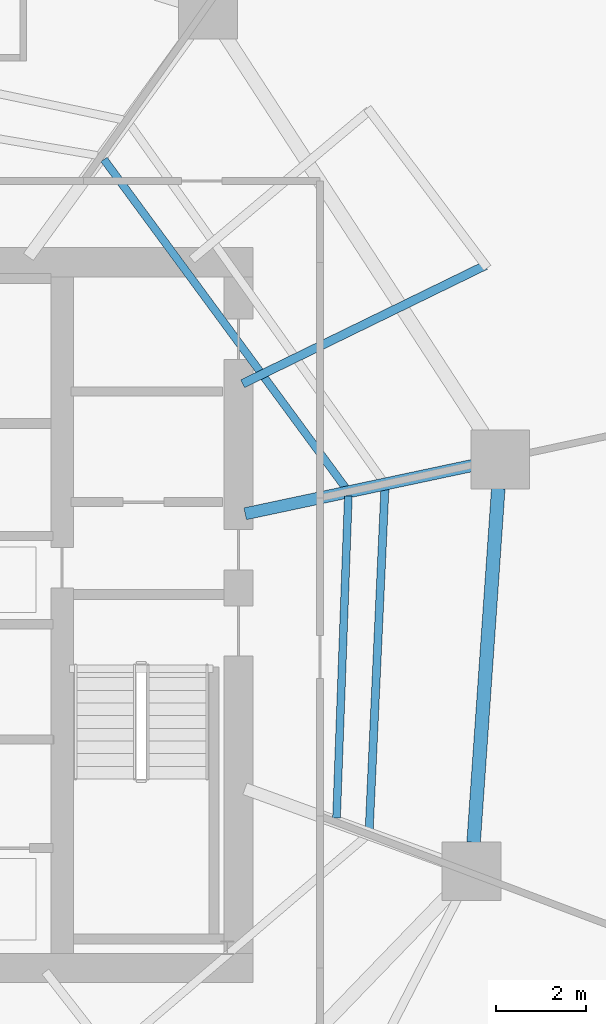
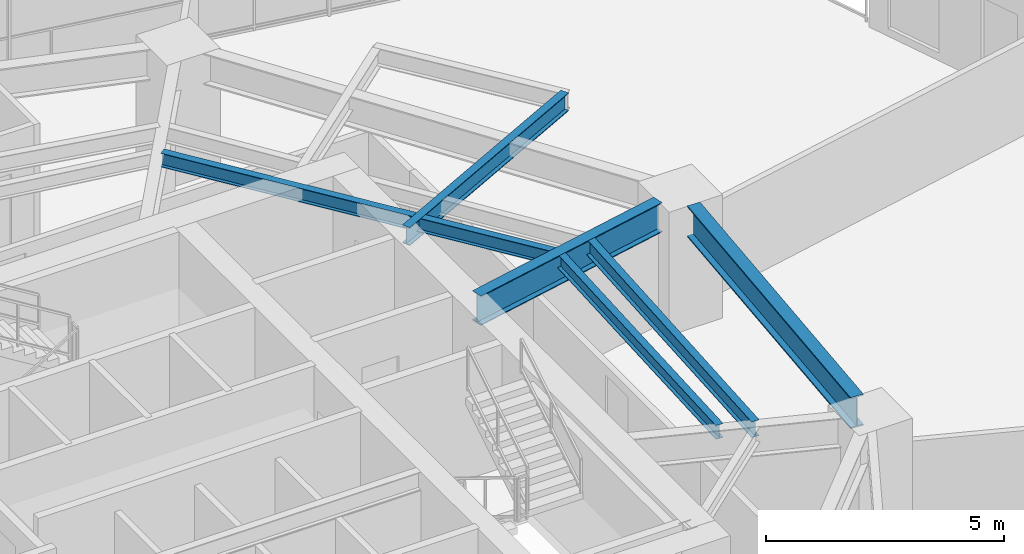
# One storey, part 15 of 33: 6 beams.
"""IFC4 building model written with IfcOpenShell, lengths in metres."""

from ifc_helpers import new_model, si_unit, direction, frame, origin, origin_2d, place, context, subcontext, project, spatial, i_section, extrude, material, material_profile, profile_set, type_object, element, save


model = new_model("IFC4")

# Units and contexts
model_context = context("Model", 3, precision=1e-05, world=origin(), true_north=direction((0.0, 1.0)))
body_context = subcontext(model_context, "Body", "Model", "MODEL_VIEW")
ifc_project = project(units=[si_unit("LENGTHUNIT", "METRE"), si_unit("AREAUNIT", "SQUARE_METRE"), si_unit("VOLUMEUNIT", "CUBIC_METRE"), si_unit("PLANEANGLEUNIT", "RADIAN"), si_unit("MASSUNIT", "GRAM", prefix="KILO")], contexts=[model_context])

# Site, building, storey
site_placement = place(None, origin())
site = spatial("IfcSite", under=ifc_project, at=site_placement, CompositionType="ELEMENT")
building_placement = place(site_placement, origin())
building = spatial("IfcBuilding", under=site, at=building_placement, Name="Qarnah Convention Tower", CompositionType="ELEMENT")
storey_placement = place(building_placement, frame((0.0, 0.0, 30.449951171875)))
storey = spatial("IfcBuildingStorey", under=building, at=storey_placement, Name="L06", CompositionType="ELEMENT", Elevation=30.449951171875)

# Beams
ifc_material = material(Name="Structural steel S355JR", Category="steel")
ifc_material_profile_1 = material_profile(ifc_material, i_section(OverallWidth=0.19189453125, OverallDepth=0.464111328125, WebThickness=0.010986328125, FlangeThickness=0.01806640625, at=origin_2d()), Name="W460X89")
ifc_profile_set_1 = profile_set([ifc_material_profile_1], Name="Structural steel S355JR")
beam_type_1 = type_object("IfcBeamType", Name="BM-CANT-W460A", PredefinedType="BEAM", material=ifc_profile_set_1)
beam_1_placement = place(storey_placement, frame((47.68994140625, 31.51611328125, 2.93798828125), z_axis=(0.898845814475, 0.438264990388, 0.0), x_axis=(-0.438264990388, 0.898845814475, 0.0)))
element("IfcBeam", 1, at=beam_1_placement, inside=storey, type_object=beam_type_1, Name="L06 beam BM-L06-CNT-01-1", PredefinedType="BEAM", context=body_context, shape_type="SweptSolid", body=[
    extrude(i_section(OverallWidth=0.19189453125, OverallDepth=0.464111328125, WebThickness=0.010986328125, FlangeThickness=0.01806640625, at=origin_2d()), origin(), (0.0, 0.0, 1.0), 5.973388671875),
])
ifc_material_profile_2 = material_profile(ifc_material, i_section(OverallWidth=0.172119140625, OverallDepth=0.35595703125, WebThickness=0.007080078125, FlangeThickness=0.011962890625, at=origin_2d()), Name="W360X51")
ifc_profile_set_2 = profile_set([ifc_material_profile_2], Name="Structural steel S355JR")
beam_type_2 = type_object("IfcBeamType", Name="BM-JST-W360", PredefinedType="JOIST", material=ifc_profile_set_2)
beam_2_placement = place(storey_placement, frame((49.97802734375, 29.199951171875, 2.991943359375), z_axis=(-0.59258291675, 0.805509457906, 0.0), x_axis=(-0.805509457906, -0.59258291675, 0.0)))
element("IfcBeam", 2, at=beam_2_placement, inside=storey, type_object=beam_type_2, Name="L06 joist BM-L06-IJST-01", PredefinedType="JOIST", context=body_context, shape_type="SweptSolid", body=[
    extrude(i_section(OverallWidth=0.172119140625, OverallDepth=0.35595703125, WebThickness=0.007080078125, FlangeThickness=0.011962890625, at=origin_2d()), origin(), (0.0, 0.0, 1.0), 9.03173828125),
])
beam_3_placement = place(storey_placement, frame((49.76708984375, 21.91796875, 2.991943359375), z_axis=(0.036630180467, 0.999328889745, 0.0), x_axis=(-0.999328889745, 0.036630180467, 0.0)))
element("IfcBeam", 3, at=beam_3_placement, inside=storey, type_object=beam_type_2, Name="L06 joist BM-L06-IJST-09", PredefinedType="JOIST", context=body_context, shape_type="SweptSolid", body=[
    extrude(i_section(OverallWidth=0.172119140625, OverallDepth=0.35595703125, WebThickness=0.007080078125, FlangeThickness=0.011962890625, at=origin_2d()), origin(), (0.0, 0.0, 1.0), 7.125),
])
ifc_material_profile_3 = material_profile(ifc_material, i_section(OverallWidth=0.177978515625, OverallDepth=0.407958984375, WebThickness=0.008056640625, FlangeThickness=0.012939453125, at=origin_2d()), Name="W410X60")
ifc_profile_set_3 = profile_set([ifc_material_profile_3], Name="Structural steel S355JR")
beam_type_3 = type_object("IfcBeamType", Name="BM-JST-W410", PredefinedType="JOIST", material=ifc_profile_set_3)
beam_4_placement = place(storey_placement, frame((50.489013671875, 21.655029296875, 2.966064453125), z_axis=(0.046000694975, 0.998941407722, 0.0), x_axis=(-0.998941407722, 0.046000694975, 0.0)))
element("IfcBeam", 4, at=beam_4_placement, inside=storey, type_object=beam_type_3, Name="L06 joist BM-L06-SJST-09", PredefinedType="JOIST", context=body_context, shape_type="SweptSolid", body=[
    extrude(i_section(OverallWidth=0.177978515625, OverallDepth=0.407958984375, WebThickness=0.008056640625, FlangeThickness=0.012939453125, at=origin_2d()), origin(), (0.0, 0.0, 1.0), 7.56298828125),
])
ifc_material_profile_4 = material_profile(ifc_material, i_section(OverallWidth=0.26806640625, OverallDepth=0.760009765625, WebThickness=0.014892578125, FlangeThickness=0.02197265625, at=origin_2d()), Name="W760X185")
ifc_profile_set_4 = profile_set([ifc_material_profile_4], Name="Structural steel S355JR")
beam_type_4 = type_object("IfcBeamType", Name="BM-RAD-W760", PredefinedType="BEAM", material=ifc_profile_set_4)
beam_5_placement = place(storey_placement, frame((47.7470703125, 28.64208984375, 2.7900390625), z_axis=(0.978155710431, 0.207873534031, 0.0), x_axis=(-0.207873534031, 0.978155710431, 0.0)))
element("IfcBeam", 5, at=beam_5_placement, inside=storey, type_object=beam_type_4, Name="L06 beam BM-L06-RAD-01", PredefinedType="BEAM", context=body_context, shape_type="SweptSolid", body=[
    extrude(i_section(OverallWidth=0.26806640625, OverallDepth=0.760009765625, WebThickness=0.014892578125, FlangeThickness=0.02197265625, at=origin_2d()), origin(), (0.0, 0.0, 1.0), 5.13720703125),
])
ifc_material_profile_5 = material_profile(ifc_material, i_section(OverallWidth=0.300048828125, OverallDepth=0.800048828125, WebThickness=0.01806640625, FlangeThickness=0.032958984375, at=origin_2d()), Name="HEB800")
ifc_profile_set_5 = profile_set([ifc_material_profile_5], Name="Structural steel S355JR")
beam_type_5 = type_object("IfcBeamType", Name="BM-RING-HEB800", PredefinedType="BEAM", material=ifc_profile_set_5)
beam_6_placement = place(storey_placement, frame((52.797119140625, 21.3779296875, 2.77001953125), z_axis=(0.069594661237, 0.997575352105, 0.0), x_axis=(-0.997575352105, 0.069594661237, 0.0)))
element("IfcBeam", 6, at=beam_6_placement, inside=storey, type_object=beam_type_5, Name="L06 beam BM-L06-SPN-09", PredefinedType="BEAM", context=body_context, shape_type="SweptSolid", body=[
    extrude(i_section(OverallWidth=0.300048828125, OverallDepth=0.800048828125, WebThickness=0.01806640625, FlangeThickness=0.032958984375, at=origin_2d()), origin(), (0.0, 0.0, 1.0), 7.843994140625),
])

save(model, "model.ifc")
